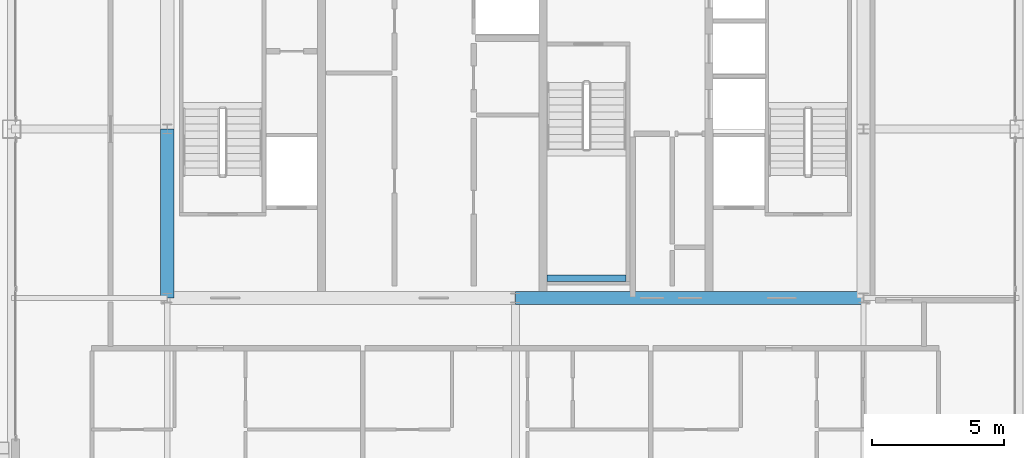
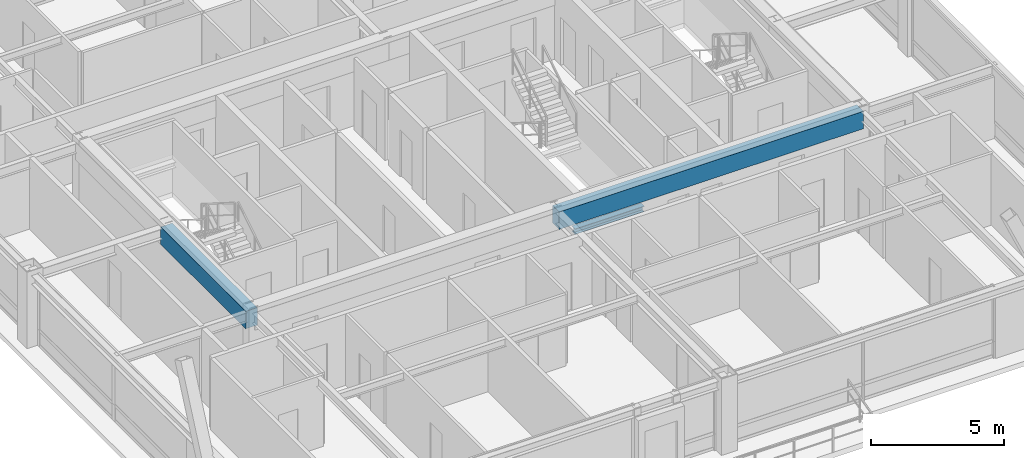
# One storey, part 10 of 35: 3 beams.
"""IFC4 building model written with IfcOpenShell, lengths in metres."""

from ifc_helpers import new_model, si_unit, direction, frame, origin, origin_2d, place, context, subcontext, project, spatial, rectangle, i_section, extrude, source, transform, mapped, material, material_profile, profile_set, type_object, element, save


model = new_model("IFC4")

# Units and contexts
model_context = context("Model", 3, precision=1e-05, world=origin(), true_north=direction((0.0, 1.0)))
body_context = subcontext(model_context, "Body", "Model", "MODEL_VIEW")
ifc_project = project(units=[si_unit("LENGTHUNIT", "METRE"), si_unit("AREAUNIT", "SQUARE_METRE"), si_unit("VOLUMEUNIT", "CUBIC_METRE"), si_unit("PLANEANGLEUNIT", "RADIAN"), si_unit("MASSUNIT", "GRAM", prefix="KILO"), si_unit("THERMODYNAMICTEMPERATUREUNIT", "KELVIN"), si_unit("POWERUNIT", "WATT")], contexts=[model_context])

# Site, building, storey
site_placement = place(None, origin())
site = spatial("IfcSite", under=ifc_project, at=site_placement, CompositionType="ELEMENT")
building_placement = place(site_placement, origin())
building = spatial("IfcBuilding", under=site, at=building_placement, Name="Yuzanri Waterfront Tower", CompositionType="ELEMENT")
storey_placement = place(building_placement, frame((0.0, 0.0, 314.699951171875)))
storey = spatial("IfcBuildingStorey", under=building, at=storey_placement, Name="L84", CompositionType="ELEMENT", Elevation=314.699951171875)

# Beams
ifc_material_1 = material(Name="Concrete C50", Category="concrete")
ifc_material_profile_1 = material_profile(ifc_material_1, rectangle(XDim=0.5, YDim=0.800048828125, at=origin_2d()), Name="RC 500x800")
ifc_profile_set_1 = profile_set([ifc_material_profile_1], Name="Concrete C50")
beam_type_1 = type_object("IfcBeamType", Name="Core Coupling Lintel Concrete C50 500x800", PredefinedType="LINTEL", material=ifc_profile_set_1)
shared_shape_1 = source(origin(), body_context, "Body", "SweptSolid", [
    extrude(rectangle(XDim=0.5, YDim=0.800048828125, at=origin_2d()), origin(), (0.0, 0.0, 1.0), 13.199951171875),
])
beam_1_placement = place(storey_placement, frame((37.0, 19.39990234375, 2.880126953125), z_axis=(1.0, 0.0, 0.0), x_axis=(0.0, 1.0, 0.0)))
element("IfcBeam", 1, at=beam_1_placement, inside=storey, type_object=beam_type_1, Name="L84 Core Tie Beam CS2", PredefinedType="LINTEL", context=body_context, shape_type="MappedRepresentation", body=[
    mapped(shared_shape_1, transform((0.0, 0.0, 0.0), scale=1.0)),
])
shared_shape_2 = source(origin(), body_context, "Body", "SweptSolid", [
    extrude(rectangle(XDim=0.5, YDim=0.800048828125, at=origin_2d()), origin(), (0.0, 0.0, 1.0), 6.400146484375),
])
beam_2_placement = place(storey_placement, frame((23.800048828125, 19.39990234375, 2.880126953125), z_axis=(0.0, 1.0, 0.0), x_axis=(-1.0, 0.0, 0.0)))
element("IfcBeam", 2, at=beam_2_placement, inside=storey, type_object=beam_type_1, Name="L84 Core Tie Beam CW1", PredefinedType="LINTEL", context=body_context, shape_type="MappedRepresentation", body=[
    mapped(shared_shape_2, transform((0.0, 0.0, 0.0), scale=1.0)),
])
ifc_material_2 = material(Name="Steel Q355B", Category="steel")
ifc_material_profile_2 = material_profile(ifc_material_2, i_section(OverallWidth=0.25, OverallDepth=0.25, WebThickness=0.009033203125, FlangeThickness=0.013916015625, at=origin_2d()), Name="HW 250x250x9x14")
ifc_profile_set_2 = profile_set([ifc_material_profile_2], Name="Steel Q355B")
beam_type_2 = type_object("IfcBeamType", Name="Stair Landing Support Beam Q355B HW 250x250", PredefinedType="BEAM", material=ifc_profile_set_2)
shared_shape_3 = source(origin(), body_context, "Body", "SweptSolid", [
    extrude(i_section(OverallWidth=0.25, OverallDepth=0.25, WebThickness=0.009033203125, FlangeThickness=0.013916015625, at=origin_2d()), origin(), (0.0, 0.0, 1.0), 3.0),
])
beam_3_placement = place(storey_placement, frame((38.199951171875, 20.14990234375, 1.425048828125), z_axis=(1.0, 0.0, 0.0), x_axis=(0.0, 1.0, 0.0)))
element("IfcBeam", 3, at=beam_3_placement, inside=storey, type_object=beam_type_2, Name="L84 Stair Landing Support Beam ST-03-L84-L1-1", PredefinedType="BEAM", context=body_context, shape_type="MappedRepresentation", body=[
    mapped(shared_shape_3, transform((0.0, 0.0, 0.0), scale=1.0)),
])

save(model, "model.ifc")
